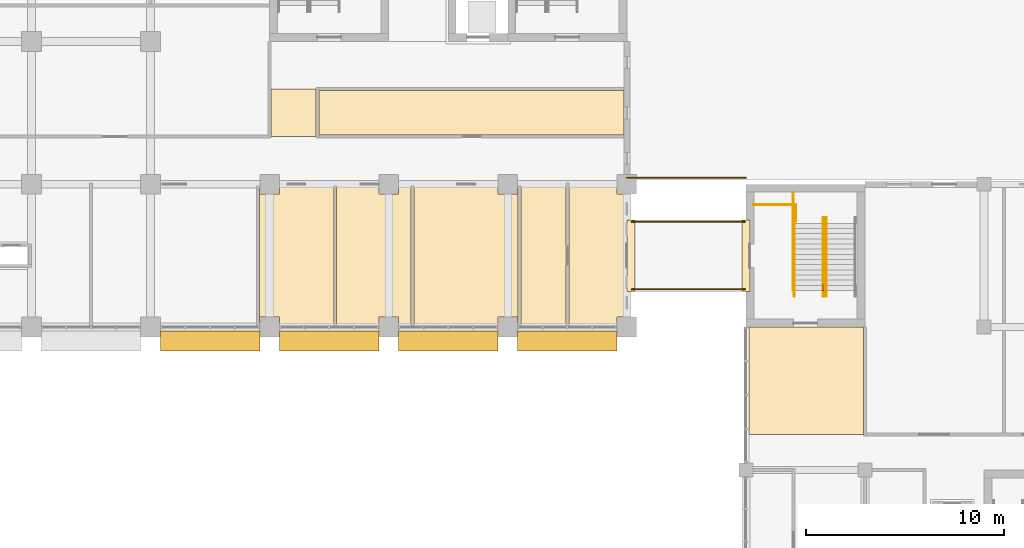
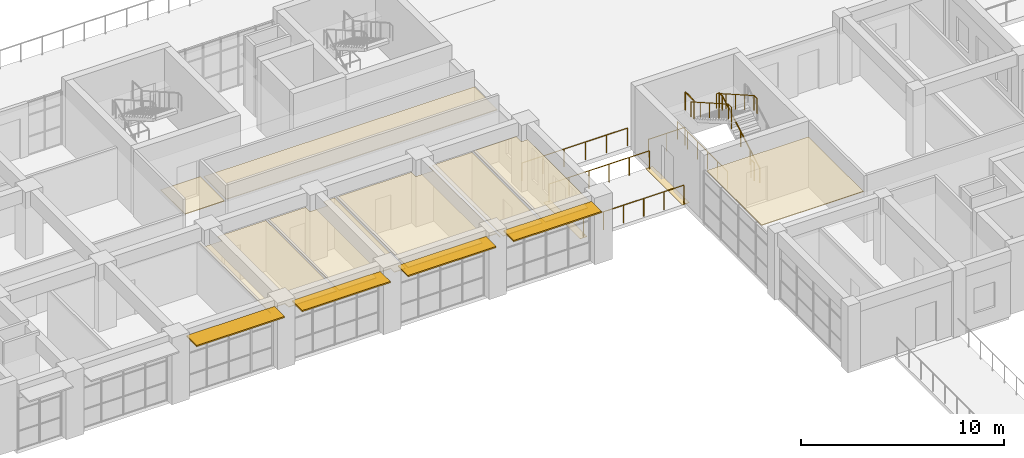
# One storey, part 97 of 101: 10 coverings, 10 railings, 4 shading devices.
"""IFC4 building model written with IfcOpenShell, lengths in metres."""

import ifcopenshell
import ifcopenshell.guid

model = None  # the IFC model being written
_history = None  # IfcOwnerHistory: only IFC2X3 demands one
_inside = {}  # id of a spatial element -> (the spatial element, [elements in it])
_under = {}  # id of a project, library or spatial element -> (it, [spatial elements below it])
_declared = {}  # id of a project -> (the project, [libraries it declares])
_typed = {}  # id of a type object -> (the type object, [elements of that type])
_made_of = {}  # id of a material, layer set ... -> (it, [elements and type objects made of it])


def new_model(schema):
    """Start an empty IFC model of exactly this schema.

    Asked for "IFC4X3", IfcOpenShell would pick the latest addendum, in which some entities
    have other attributes; the version numbers below select the first issue.
    IFC2X3 requires an IfcOwnerHistory on every rooted entity: one is made here for all.
    """
    global model, _history
    if schema == "IFC4X3":
        model = ifcopenshell.file(schema_version=(4, 3, 0, 0))
    else:
        model = ifcopenshell.file(schema=schema)
    _inside.clear()
    _under.clear()
    _declared.clear()
    _typed.clear()
    _made_of.clear()
    _history = None
    if model.schema == "IFC2X3":
        org = make("IfcOrganization", Name="unknown")
        user = make(
            "IfcPersonAndOrganization",
            ThePerson=make("IfcPerson", FamilyName="unknown"),
            TheOrganization=org,
        )
        app = make(
            "IfcApplication",
            ApplicationDeveloper=org,
            Version="unknown",
            ApplicationFullName="unknown",
            ApplicationIdentifier="unknown",
        )
        _history = make(
            "IfcOwnerHistory",
            OwningUser=user,
            OwningApplication=app,
            ChangeAction="ADDED",
            CreationDate=0,
        )
    return model


def make(cls, **values):
    """One entity of the class cls with the attributes given. An attribute that is None is left unset."""
    return model.create_entity(
        cls, **{name: value for name, value in values.items() if value is not None}
    )


def rooted(cls, **values):
    """An entity with a GlobalId (a new one), such as an element, a storey or a relation."""
    return make(cls, GlobalId=ifcopenshell.guid.new(), OwnerHistory=_history, **values)


def si_unit(unit_type, name, prefix=None):
    """IfcSIUnit, for example si_unit("LENGTHUNIT", "METRE", prefix="MILLI")."""
    return make("IfcSIUnit", UnitType=unit_type, Prefix=prefix, Name=name)


def assignment(units):
    """IfcUnitAssignment: the units of a project."""
    return None if units is None else make("IfcUnitAssignment", Units=units)


def point(xyz):
    """IfcCartesianPoint."""
    return None if xyz is None else make("IfcCartesianPoint", Coordinates=xyz)


def direction(xyz):
    """IfcDirection."""
    return None if xyz is None else make("IfcDirection", DirectionRatios=xyz)


def frame(location, z_axis=None, x_axis=None):
    """IfcAxis2Placement3D, a coordinate frame: its origin and axes. An axis left out is left unset."""
    return make(
        "IfcAxis2Placement3D",
        Location=point(location),
        Axis=direction(z_axis),
        RefDirection=direction(x_axis),
    )


def frame_2d(location, x_axis=None):
    """IfcAxis2Placement2D, a coordinate frame in the plane: its origin and x axis."""
    return make(
        "IfcAxis2Placement2D", Location=point(location), RefDirection=direction(x_axis)
    )


def origin():
    """The frame at (0, 0, 0) with its axes left unset."""
    return frame((0.0, 0.0, 0.0))


def origin_2d():
    """The frame at (0, 0) in the plane with its x axis left unset."""
    return frame_2d((0.0, 0.0))


def place(relative_to, where):
    """IfcLocalPlacement: puts the frame where relative to a parent placement (None: the world)."""
    return make(
        "IfcLocalPlacement", PlacementRelTo=relative_to, RelativePlacement=where
    )


def context(
    kind, dimensions, precision=None, world=None, true_north=None, identifier=None
):
    """IfcGeometricRepresentationContext, for example the 3D "Model" context."""
    return make(
        "IfcGeometricRepresentationContext",
        ContextIdentifier=identifier,
        ContextType=kind,
        CoordinateSpaceDimension=dimensions,
        Precision=precision,
        WorldCoordinateSystem=world,
        TrueNorth=true_north,
    )


def subcontext(parent, identifier, kind, view, scale=None):
    """IfcGeometricRepresentationSubContext, for example "Body" below "Model"."""
    return make(
        "IfcGeometricRepresentationSubContext",
        ContextIdentifier=identifier,
        ContextType=kind,
        ParentContext=parent,
        TargetScale=scale,
        TargetView=view,
    )


def project(units=None, contexts=None):
    """IfcProject with its units and contexts."""
    return rooted(
        "IfcProject",
        Name="project",
        RepresentationContexts=contexts,
        UnitsInContext=assignment(units),
    )


def spatial(cls, under=None, at=None, **own):
    """A site, building, storey or space (cls), placed at a placement, below another one or the project."""
    s = rooted(cls, ObjectPlacement=at, **own)
    if under is not None:
        _under.setdefault(under.id(), (under, []))[1].append(s)
    return s


def polyline(points):
    """IfcPolyline through the points."""
    return make("IfcPolyline", Points=[point(p) for p in points])


def profile(cls, at=None, kind="AREA", **sizes):
    """A parametric profile (cls). Its sizes go by their IFC names, for example OverallWidth=200.0."""
    return make(cls, ProfileType=kind, Position=at, **sizes)


def rectangle(**sizes):
    """IfcRectangleProfileDef."""
    return profile("IfcRectangleProfileDef", **sizes)


def circle(**sizes):
    """IfcCircleProfileDef."""
    return profile("IfcCircleProfileDef", **sizes)


def outline(outer, holes=None, kind="AREA"):
    """IfcArbitraryClosedProfileDef: a profile drawn as a closed curve; with holes, ...WithVoids."""
    if holes is None:
        return make("IfcArbitraryClosedProfileDef", ProfileType=kind, OuterCurve=outer)
    return make(
        "IfcArbitraryProfileDefWithVoids",
        ProfileType=kind,
        OuterCurve=outer,
        InnerCurves=holes,
    )


def extrude(swept, where, along, depth):
    """IfcExtrudedAreaSolid: the profile swept, set in the frame where, extruded along a direction by depth."""
    return make(
        "IfcExtrudedAreaSolid",
        SweptArea=swept,
        Position=where,
        ExtrudedDirection=direction(along),
        Depth=depth,
    )


def shape(context_of_items, identifier, shape_type, items):
    """IfcShapeRepresentation: the items that make up one representation, for example the "Body"."""
    return make(
        "IfcShapeRepresentation",
        ContextOfItems=context_of_items,
        RepresentationIdentifier=identifier,
        RepresentationType=shape_type,
        Items=items,
    )


def material(Name=None, Category=None):
    """IfcMaterial."""
    return make("IfcMaterial", Name=Name, Category=Category)


def layer(
    of_material, thickness, ventilated=None, Name=None, Category=None, Priority=None
):
    """IfcMaterialLayer: one layer of a wall or slab, of a material (None: an air gap)."""
    return make(
        "IfcMaterialLayer",
        Material=of_material,
        LayerThickness=thickness,
        IsVentilated=ventilated,
        Name=Name,
        Category=Category,
        Priority=Priority,
    )


def layer_set(layers, Name=None):
    """IfcMaterialLayerSet."""
    return make("IfcMaterialLayerSet", MaterialLayers=layers, LayerSetName=Name)


def made_of(thing, what):
    """Note that an element or type object is made of a material, layer set ...; save() writes the relation."""
    if what is not None:
        _made_of.setdefault(what.id(), (what, []))[1].append(thing)
    return thing


def type_object(cls, material=None, **own):
    """A type object (cls), such as IfcWallType, which elements share."""
    return made_of(rooted(cls, **own), material)


def element(
    cls,
    number,
    at=None,
    inside=None,
    cuts=None,
    type_object=None,
    material=None,
    context=None,
    identifier="Body",
    shape_type=None,
    held_by="IfcProductDefinitionShape",
    body=None,
    shapes=None,
    **own,
):
    """One element of the class cls, such as IfcWall. Its Tag is "e" and its number.

    at: its placement. inside: the storey or other place that contains it. cuts: it is an
    opening in that element (IfcRelVoidsElement). A single representation is given by context,
    identifier, shape_type and body (its items); several are given by shapes. held_by: the class
    of the entity that holds the representations. save() writes the other relations.
    """
    e = rooted(cls, Tag="e%d" % number, ObjectPlacement=at, **own)
    if body is not None:
        shapes = [shape(context, identifier, shape_type, body)]
    if shapes is not None:
        e.Representation = make(held_by, Representations=shapes)
    if inside is not None:
        _inside.setdefault(inside.id(), (inside, []))[1].append(e)
    if cuts is not None:
        rooted(
            "IfcRelVoidsElement", RelatingBuildingElement=cuts, RelatedOpeningElement=e
        )
    if type_object is not None:
        _typed.setdefault(type_object.id(), (type_object, []))[1].append(e)
    return made_of(e, material)


def aggregate(whole, parts):
    """IfcRelAggregates: a whole, such as a stair, and the parts it consists of."""
    return rooted("IfcRelAggregates", RelatingObject=whole, RelatedObjects=parts)


def save(model, path):
    """Write the relations noted so far, then the file.

    IfcRelAggregates (storeys below a building ...), IfcRelContainedInSpatialStructure (elements
    in a storey), IfcRelDefinesByType, IfcRelAssociatesMaterial and IfcRelDeclares: one each for
    every whole, place, type object, material and project.
    """
    for whole, parts in _under.values():
        aggregate(whole, parts)
    for where, things in _inside.values():
        rooted(
            "IfcRelContainedInSpatialStructure",
            RelatedElements=things,
            RelatingStructure=where,
        )
    for kind, things in _typed.values():
        rooted("IfcRelDefinesByType", RelatedObjects=things, RelatingType=kind)
    for what, things in _made_of.values():
        rooted("IfcRelAssociatesMaterial", RelatedObjects=things, RelatingMaterial=what)
    for by, libraries in _declared.values():
        rooted("IfcRelDeclares", RelatingContext=by, RelatedDefinitions=libraries)
    model.write(path)


model = new_model("IFC4")

# Units and contexts
model_context = context("Model", 3, precision=1e-05, world=origin(), true_north=direction((0.0, 1.0)))
body_context = subcontext(model_context, "Body", "Model", "MODEL_VIEW")
ifc_project = project(units=[si_unit("LENGTHUNIT", "METRE"), si_unit("AREAUNIT", "SQUARE_METRE"), si_unit("VOLUMEUNIT", "CUBIC_METRE"), si_unit("PLANEANGLEUNIT", "RADIAN"), si_unit("MASSUNIT", "GRAM", prefix="KILO")], contexts=[model_context])

# Site, building, storey
site_placement = place(None, origin())
site = spatial("IfcSite", under=ifc_project, at=site_placement, CompositionType="ELEMENT")
building_placement = place(site_placement, origin())
building = spatial("IfcBuilding", under=site, at=building_placement, Name="Laocheng Heights Fire and Rescue Headquarters", CompositionType="ELEMENT")
storey_placement = place(building_placement, frame((0.0, 0.0, 8.39990234375)))
storey = spatial("IfcBuildingStorey", under=building, at=storey_placement, Name="L02", CompositionType="ELEMENT", Elevation=8.39990234375)

# Coverings
ifc_material_1 = material(Name="Stainless steel cover plate", Category="steel")
ifc_layer_1 = layer(ifc_material_1, 0.010009765625)
ifc_layer_set_1 = layer_set([ifc_layer_1], Name="Stainless steel cover plate")
covering_type_1 = type_object("IfcCoveringType", Name="MOVEMENT JOINT COVER PLATE 10", PredefinedType="FLOORING", material=ifc_layer_set_1)
for number, where, z_axis, x_axis, name in (
    (1, (84.199951171875, 54.0, -0.009765625), (0.0, 0.0, 1.0), (1.0, 0.0, 0.0), "Bridge B3 movement joint cover plate"),
    (2, (90.0, 54.0, -0.009765625), (0.0, 0.0, 1.0), (1.0, 0.0, 0.0), "Bridge B3 movement joint cover plate"),
):
    element("IfcCovering", number, at=place(storey_placement, frame(where, z_axis=z_axis, x_axis=x_axis)), inside=storey, type_object=covering_type_1, Name=name, PredefinedType="FLOORING", context=body_context, shape_type="SweptSolid", body=[
        extrude(rectangle(XDim=0.39990234375, YDim=3.60009765625, at=origin_2d()), origin(), (0.0, 0.0, 1.0), 0.010009765625),
    ])

# Shading devices
ifc_material_2 = material(Name="Precast concrete C40/50, light warm grey", Category="concrete")
ifc_layer_2 = layer(ifc_material_2, 0.080078125)
ifc_layer_set_2 = layer_set([ifc_layer_2], Name="Precast concrete C40/50, light warm grey")
shading_device_type = type_object("IfcShadingDeviceType", Name="PRECAST BLADE 1000 x 80 BLADE HQ SOUTH", PredefinedType="JALOUSIE", material=ifc_layer_set_2)
for number, where, z_axis, x_axis, name in (
    (3, (63.0, 49.699951171875, 3.56005859375), (0.0, 0.0, 1.0), (1.0, 0.0, 0.0), "BLADE HQ SOUTH L02"),
    (4, (69.0, 49.699951171875, 3.56005859375), (0.0, 0.0, 1.0), (1.0, 0.0, 0.0), "BLADE HQ SOUTH L02"),
    (5, (75.0, 49.699951171875, 3.56005859375), (0.0, 0.0, 1.0), (1.0, 0.0, 0.0), "BLADE HQ SOUTH L02"),
    (6, (81.0, 49.699951171875, 3.56005859375), (0.0, 0.0, 1.0), (1.0, 0.0, 0.0), "BLADE HQ SOUTH L02"),
):
    element("IfcShadingDevice", number, at=place(storey_placement, frame(where, z_axis=z_axis, x_axis=x_axis)), inside=storey, type_object=shading_device_type, Name=name, PredefinedType="JALOUSIE", context=body_context, shape_type="SweptSolid", body=[
        extrude(rectangle(XDim=5.0, YDim=1.0, at=origin_2d()), origin(), (0.0, 0.0, 1.0), 0.080078125),
    ])

# Railings
ifc_material_3 = material(Name="Steel Q355B", Category="steel")
railing_type_1 = type_object("IfcRailingType", Name="STAIR GUARD 1100", PredefinedType="GUARDRAIL", material=ifc_material_3)
railing_1_placement = place(storey_placement, frame((93.905029296875, 52.550048828125, 0.0)))
element("IfcRailing", 7, at=railing_1_placement, inside=storey, type_object=railing_type_1, Name="Stair C2 guard L02 well edge", PredefinedType="GUARDRAIL", context=body_context, shape_type="SweptSolid", body=[
    extrude(circle(Radius=0.02392578125, at=origin_2d()), frame((0.0, 0.0, 1.076171875), z_axis=(0.0, -1.0, 0.0), x_axis=(1.0, 0.0, 0.0)), (0.0, 0.0, 1.0), 0.300048828125),
    extrude(circle(Radius=0.02099609375, at=origin_2d()), origin(), (0.0, 0.0, 1.0), 1.052001953125),
    extrude(circle(Radius=0.02099609375, at=origin_2d()), frame((0.0, -0.300048828125, 0.0)), (0.0, 0.0, 1.0), 1.052001953125),
])
railing_2_placement = place(storey_placement, frame((92.47509765625, 56.570068359375, 0.0)))
element("IfcRailing", 8, at=railing_2_placement, inside=storey, type_object=railing_type_1, Name="Stair C2 guard L02 tongue edge", PredefinedType="GUARDRAIL", context=body_context, shape_type="SweptSolid", body=[
    extrude(circle(Radius=0.02392578125, at=origin_2d()), frame((0.0, 0.0, 1.076171875), z_axis=(-1.0, 0.0, 0.0), x_axis=(0.0, -1.0, 0.0)), (0.0, 0.0, 1.0), 2.0751953125),
    extrude(circle(Radius=0.02099609375, at=origin_2d()), origin(), (0.0, 0.0, 1.0), 1.052001953125),
    extrude(circle(Radius=0.02099609375, at=origin_2d()), frame((-1.03759765625, 0.0, 0.0)), (0.0, 0.0, 1.0), 1.052001953125),
    extrude(circle(Radius=0.02099609375, at=origin_2d()), frame((-2.0751953125, 0.0, 0.0)), (0.0, 0.0, 1.0), 1.052001953125),
])
railing_3_placement = place(storey_placement, frame((92.39501953125, 57.179931640625, 0.0)))
element("IfcRailing", 9, at=railing_3_placement, inside=storey, type_object=railing_type_1, Name="Stair C2 guard L02 strip edge", PredefinedType="GUARDRAIL", context=body_context, shape_type="SweptSolid", body=[
    extrude(circle(Radius=0.02392578125, at=origin_2d()), frame((0.0, 0.0, 1.076171875), z_axis=(0.0, -1.0, 0.0), x_axis=(1.0, 0.0, 0.0)), (0.0, 0.0, 1.0), 4.929931640625),
    extrude(circle(Radius=0.02099609375, at=origin_2d()), origin(), (0.0, 0.0, 1.0), 1.052001953125),
    extrude(circle(Radius=0.02099609375, at=origin_2d()), frame((0.0, -0.986083984375, 0.0)), (0.0, 0.0, 1.0), 1.052001953125),
    extrude(circle(Radius=0.02099609375, at=origin_2d()), frame((0.0, -1.971923828125, 0.0)), (0.0, 0.0, 1.0), 1.052001953125),
    extrude(circle(Radius=0.02099609375, at=origin_2d()), frame((0.0, -2.9580078125, 0.0)), (0.0, 0.0, 1.0), 1.052001953125),
    extrude(circle(Radius=0.02099609375, at=origin_2d()), frame((0.0, -3.94384765625, 0.0)), (0.0, 0.0, 1.0), 1.052001953125),
    extrude(circle(Radius=0.02099609375, at=origin_2d()), frame((0.0, -4.929931640625, 0.0)), (0.0, 0.0, 1.0), 1.052001953125),
])
railing_4_placement = place(storey_placement, frame((92.5048828125, 56.580078125, 2.10009765625)))
element("IfcRailing", 10, at=railing_4_placement, inside=storey, type_object=railing_type_1, Name="Stair C2 guard L02 half landing", PredefinedType="GUARDRAIL", context=body_context, shape_type="SweptSolid", body=[
    extrude(circle(Radius=0.02392578125, at=origin_2d()), frame((0.0, 0.0, 1.076171875), z_axis=(0.0, -1.0, 0.0), x_axis=(1.0, 0.0, 0.0)), (0.0, 0.0, 1.0), 0.85009765625),
    extrude(circle(Radius=0.02099609375, at=origin_2d()), origin(), (0.0, 0.0, 1.0), 1.052001953125),
    extrude(circle(Radius=0.02099609375, at=origin_2d()), frame((0.0, -0.85009765625, 0.0)), (0.0, 0.0, 1.0), 1.052001953125),
])
ifc_material_4 = material(Name="Steel Q355B", Category="steel")
railing_type_2 = type_object("IfcRailingType", Name="STAIR HANDRAIL 920", PredefinedType="HANDRAIL", material=ifc_material_4)
railing_5_placement = place(storey_placement, frame((94.044921875, 51.949951171875, 0.0)))
element("IfcRailing", 11, at=railing_5_placement, inside=storey, type_object=railing_type_2, Name="Stair C2 handrail L02 2", PredefinedType="HANDRAIL", context=body_context, shape_type="SweptSolid", body=[
    extrude(circle(Radius=0.02392578125, at=origin_2d()), frame((0.0, 0.0, 0.89599609375), z_axis=(0.0, 0.868519587458, 0.495654845838), x_axis=(-1.0, 0.0, 0.0)), (0.0, 0.0, 1.0), 4.237060546875),
    extrude(circle(Radius=0.02392578125, at=origin_2d()), frame((0.0, 3.679931640625, 2.99609375), z_axis=(0.0, 1.0, 0.0), x_axis=(-1.0, 0.0, 0.0)), (0.0, 0.0, 1.0), 0.300048828125),
    extrude(circle(Radius=0.02099609375, at=origin_2d()), origin(), (0.0, 0.0, 1.0), 0.871826171875),
    extrude(circle(Radius=0.02099609375, at=origin_2d()), frame((0.0, 0.919921875, 0.52490234375)), (0.0, 0.0, 1.0), 0.871826171875),
    extrude(circle(Radius=0.02099609375, at=origin_2d()), frame((0.0, 1.83984375, 1.050048828125)), (0.0, 0.0, 1.0), 0.871826171875),
    extrude(circle(Radius=0.02099609375, at=origin_2d()), frame((0.0, 2.760009765625, 1.5751953125)), (0.0, 0.0, 1.0), 0.871826171875),
    extrude(circle(Radius=0.02099609375, at=origin_2d()), frame((0.0, 3.679931640625, 2.10009765625)), (0.0, 0.0, 1.0), 0.871826171875),
    extrude(circle(Radius=0.02099609375, at=origin_2d()), frame((0.0, 3.97998046875, 2.10009765625)), (0.0, 0.0, 1.0), 0.871826171875),
])
for number, where, name in (
    (12, (93.905029296875, 55.929931640625, 2.10009765625), "Stair C2 handrail L02 3"),
    (13, (92.445068359375, 55.929931640625, 2.10009765625), "Stair C2 handrail L02 4"),
):
    element("IfcRailing", number, at=place(storey_placement, frame(where)), inside=storey, type_object=railing_type_2, Name=name, PredefinedType="HANDRAIL", context=body_context, shape_type="SweptSolid", body=[
        extrude(circle(Radius=0.02392578125, at=origin_2d()), frame((0.0, 0.0, 0.89599609375), z_axis=(0.0, -0.868519587458, 0.495654845838), x_axis=(1.0, 0.0, 0.0)), (0.0, 0.0, 1.0), 4.237060546875),
        extrude(circle(Radius=0.02392578125, at=origin_2d()), frame((0.0, -3.679931640625, 2.99609375), z_axis=(0.0, -1.0, 0.0), x_axis=(1.0, 0.0, 0.0)), (0.0, 0.0, 1.0), 0.300048828125),
        extrude(circle(Radius=0.02099609375, at=origin_2d()), origin(), (0.0, 0.0, 1.0), 0.871826171875),
        extrude(circle(Radius=0.02099609375, at=origin_2d()), frame((0.0, -0.919921875, 0.52490234375)), (0.0, 0.0, 1.0), 0.871826171875),
        extrude(circle(Radius=0.02099609375, at=origin_2d()), frame((0.0, -1.83984375, 1.050048828125)), (0.0, 0.0, 1.0), 0.871826171875),
        extrude(circle(Radius=0.02099609375, at=origin_2d()), frame((0.0, -2.760009765625, 1.5751953125)), (0.0, 0.0, 1.0), 0.871826171875),
        extrude(circle(Radius=0.02099609375, at=origin_2d()), frame((0.0, -3.679931640625, 2.10009765625)), (0.0, 0.0, 1.0), 0.871826171875),
        extrude(circle(Radius=0.02099609375, at=origin_2d()), frame((0.0, -3.97998046875, 2.10009765625)), (0.0, 0.0, 1.0), 0.871826171875),
    ])
ifc_material_5 = material(Name="Steel Q355B", Category="steel")
railing_type_3 = type_object("IfcRailingType", Name="STEEL GUARDRAIL 1100 BRIDGE", PredefinedType="GUARDRAIL", material=ifc_material_5)
railing_6_placement = place(storey_placement, frame((89.949951171875, 55.699951171875, 0.0)))
element("IfcRailing", 14, at=railing_6_placement, inside=storey, type_object=railing_type_3, Name="Bridge B3 guard", PredefinedType="GUARDRAIL", context=body_context, shape_type="SweptSolid", body=[
    extrude(circle(Radius=0.02490234375, at=origin_2d()), frame((0.0, 0.0, 1.0751953125), z_axis=(-1.0, 0.0, 0.0), x_axis=(0.0, -1.0, 0.0)), (0.0, 0.0, 1.0), 5.699951171875),
    extrude(circle(Radius=0.02490234375, at=origin_2d()), origin(), (0.0, 0.0, 1.0), 1.050048828125),
    extrude(circle(Radius=0.02490234375, at=origin_2d()), frame((-1.139892578125, 0.0, 0.0)), (0.0, 0.0, 1.0), 1.050048828125),
    extrude(circle(Radius=0.02490234375, at=origin_2d()), frame((-2.280029296875, 0.0, 0.0)), (0.0, 0.0, 1.0), 1.050048828125),
    extrude(circle(Radius=0.02490234375, at=origin_2d()), frame((-3.419921875, 0.0, 0.0)), (0.0, 0.0, 1.0), 1.050048828125),
    extrude(circle(Radius=0.02490234375, at=origin_2d()), frame((-4.56005859375, 0.0, 0.0)), (0.0, 0.0, 1.0), 1.050048828125),
    extrude(circle(Radius=0.02490234375, at=origin_2d()), frame((-5.699951171875, 0.0, 0.0)), (0.0, 0.0, 1.0), 1.050048828125),
])
railing_7_placement = place(storey_placement, frame((84.25, 52.300048828125, 0.0)))
element("IfcRailing", 15, at=railing_7_placement, inside=storey, type_object=railing_type_3, Name="Bridge B3 guard", PredefinedType="GUARDRAIL", context=body_context, shape_type="SweptSolid", body=[
    extrude(circle(Radius=0.02490234375, at=origin_2d()), frame((0.0, 0.0, 1.0751953125), z_axis=(1.0, 0.0, 0.0), x_axis=(0.0, 1.0, 0.0)), (0.0, 0.0, 1.0), 5.699951171875),
    extrude(circle(Radius=0.02490234375, at=origin_2d()), origin(), (0.0, 0.0, 1.0), 1.050048828125),
    extrude(circle(Radius=0.02490234375, at=origin_2d()), frame((1.139892578125, 0.0, 0.0)), (0.0, 0.0, 1.0), 1.050048828125),
    extrude(circle(Radius=0.02490234375, at=origin_2d()), frame((2.280029296875, 0.0, 0.0)), (0.0, 0.0, 1.0), 1.050048828125),
    extrude(circle(Radius=0.02490234375, at=origin_2d()), frame((3.419921875, 0.0, 0.0)), (0.0, 0.0, 1.0), 1.050048828125),
    extrude(circle(Radius=0.02490234375, at=origin_2d()), frame((4.56005859375, 0.0, 0.0)), (0.0, 0.0, 1.0), 1.050048828125),
    extrude(circle(Radius=0.02490234375, at=origin_2d()), frame((5.699951171875, 0.0, 0.0)), (0.0, 0.0, 1.0), 1.050048828125),
])
ifc_material_6 = material(Name="Steel Q355B", Category="steel")
railing_type_4 = type_object("IfcRailingType", Name="STEEL GUARDRAIL 1100 TERRACE EDGE", PredefinedType="GUARDRAIL", material=ifc_material_6)
railing_8_placement = place(storey_placement, frame((84.0, 57.925048828125, 0.0)))
element("IfcRailing", 16, at=railing_8_placement, inside=storey, type_object=railing_type_4, Name="Guard on top of RW2 84 to 90", PredefinedType="GUARDRAIL", context=body_context, shape_type="SweptSolid", body=[
    extrude(circle(Radius=0.02490234375, at=origin_2d()), frame((0.0, 0.0, 1.0751953125), z_axis=(1.0, 0.0, 0.0), x_axis=(0.0, 1.0, 0.0)), (0.0, 0.0, 1.0), 6.0),
    extrude(circle(Radius=0.02490234375, at=origin_2d()), origin(), (0.0, 0.0, 1.0), 1.050048828125),
    extrude(circle(Radius=0.02490234375, at=origin_2d()), frame((1.199951171875, 0.0, 0.0)), (0.0, 0.0, 1.0), 1.050048828125),
    extrude(circle(Radius=0.02490234375, at=origin_2d()), frame((2.39990234375, 0.0, 0.0)), (0.0, 0.0, 1.0), 1.050048828125),
    extrude(circle(Radius=0.02490234375, at=origin_2d()), frame((3.60009765625, 0.0, 0.0)), (0.0, 0.0, 1.0), 1.050048828125),
    extrude(circle(Radius=0.02490234375, at=origin_2d()), frame((4.800048828125, 0.0, 0.0)), (0.0, 0.0, 1.0), 1.050048828125),
    extrude(circle(Radius=0.02490234375, at=origin_2d()), frame((6.0, 0.0, 0.0)), (0.0, 0.0, 1.0), 1.050048828125),
])

# Coverings
ifc_material_7 = material(Name="Mineral fibre ceiling tile")
ifc_layer_3 = layer(ifc_material_7, 0.0400390625)
ifc_layer_set_3 = layer_set([ifc_layer_3], Name="Mineral fibre ceiling tile")
covering_type_2 = type_object("IfcCoveringType", Name="SUSPENDED CEILING MINERAL FIBRE TILE CREW WING", PredefinedType="CEILING", material=ifc_layer_set_3)
covering_1_placement = place(storey_placement, frame((0.0, 0.0, 3.0)))
element("IfcCovering", 17, at=covering_1_placement, inside=storey, type_object=covering_type_2, Name="Stair Lobby ceiling", PredefinedType="CEILING", context=body_context, shape_type="SweptSolid", body=[
    extrude(outline(polyline([(95.925048828125, 45.0), (90.14990234375, 45.0), (90.14990234375, 50.39990234375), (95.925048828125, 50.39990234375), (95.925048828125, 45.0)])), origin(), (0.0, 0.0, 1.0), 0.0400390625),
])
ifc_material_8 = material(Name="Mineral fibre ceiling tile")
ifc_layer_4 = layer(ifc_material_8, 0.0400390625)
ifc_layer_set_4 = layer_set([ifc_layer_4], Name="Mineral fibre ceiling tile")
covering_type_3 = type_object("IfcCoveringType", Name="SUSPENDED CEILING MINERAL FIBRE TILE HQ WING", PredefinedType="CEILING", material=ifc_layer_set_4)
covering_2_placement = place(storey_placement, frame((0.0, 0.0, 3.0)))
element("IfcCovering", 18, at=covering_2_placement, inside=storey, type_object=covering_type_3, Name="Circulation East ceiling", PredefinedType="CEILING", context=body_context, shape_type="SweptSolid", body=[
    extrude(outline(polyline([(68.324951171875, 60.0), (66.074951171875, 60.0), (66.074951171875, 62.39990234375), (68.324951171875, 62.39990234375), (68.324951171875, 60.0)])), origin(), (0.0, 0.0, 1.0), 0.0400390625),
])
covering_3_placement = place(storey_placement, frame((0.0, 0.0, 3.0)))
element("IfcCovering", 19, at=covering_3_placement, inside=storey, type_object=covering_type_3, Name="Chief Fire Officers' Office ceiling", PredefinedType="CEILING", context=body_context, shape_type="SweptSolid", body=[
    extrude(outline(polyline([(68.47509765625, 60.074951171875), (68.47509765625, 62.324951171875), (83.85009765625, 62.324951171875), (83.85009765625, 60.074951171875), (68.47509765625, 60.074951171875)])), origin(), (0.0, 0.0, 1.0), 0.0400390625),
])
covering_4_placement = place(storey_placement, frame((0.0, 0.0, 3.0)))
element("IfcCovering", 20, at=covering_4_placement, inside=storey, type_object=covering_type_3, Name="Meeting Room 1 ceiling", PredefinedType="CEILING", context=body_context, shape_type="SweptSolid", body=[
    extrude(outline(polyline([(65.5, 57.52490234375), (65.5, 57.10009765625), (66.5, 57.10009765625), (66.5, 57.52490234375), (69.239990234375, 57.52490234375), (69.239990234375, 50.550048828125), (66.5, 50.550048828125), (66.5, 50.89990234375), (65.5, 50.89990234375), (65.5, 50.550048828125), (65.47509765625, 50.550048828125), (65.47509765625, 57.52490234375), (65.5, 57.52490234375)])), origin(), (0.0, 0.0, 1.0), 0.0400390625),
])
covering_5_placement = place(storey_placement, frame((0.0, 0.0, 3.0)))
element("IfcCovering", 21, at=covering_5_placement, inside=storey, type_object=covering_type_3, Name="Meeting Room 2 ceiling", PredefinedType="CEILING", context=body_context, shape_type="SweptSolid", body=[
    extrude(outline(polyline([(71.5, 57.52490234375), (71.5, 57.10009765625), (72.5, 57.10009765625), (72.5, 57.52490234375), (73.125, 57.52490234375), (73.125, 50.550048828125), (72.5, 50.550048828125), (72.5, 50.89990234375), (71.5, 50.89990234375), (71.5, 50.550048828125), (69.360107421875, 50.550048828125), (69.360107421875, 57.52490234375), (71.5, 57.52490234375)])), origin(), (0.0, 0.0, 1.0), 0.0400390625),
])
covering_6_placement = place(storey_placement, frame((0.0, 0.0, 3.0)))
element("IfcCovering", 22, at=covering_6_placement, inside=storey, type_object=covering_type_3, Name="Toilets ceiling", PredefinedType="CEILING", context=body_context, shape_type="SweptSolid", body=[
    extrude(outline(polyline([(77.5, 57.52490234375), (77.5, 57.10009765625), (78.5, 57.10009765625), (78.5, 57.52490234375), (78.52490234375, 57.52490234375), (78.52490234375, 50.550048828125), (78.5, 50.550048828125), (78.5, 50.89990234375), (77.5, 50.89990234375), (77.5, 50.550048828125), (73.27490234375, 50.550048828125), (73.27490234375, 57.52490234375), (77.5, 57.52490234375)])), origin(), (0.0, 0.0, 1.0), 0.0400390625),
])
covering_7_placement = place(storey_placement, frame((0.0, 0.0, 3.0)))
element("IfcCovering", 23, at=covering_7_placement, inside=storey, type_object=covering_type_3, Name="Deputy Chiefs' Office ceiling", PredefinedType="CEILING", context=body_context, shape_type="SweptSolid", body=[
    extrude(outline(polyline([(78.675048828125, 57.52490234375), (80.925048828125, 57.52490234375), (80.925048828125, 50.550048828125), (78.675048828125, 50.550048828125), (78.675048828125, 57.52490234375)])), origin(), (0.0, 0.0, 1.0), 0.0400390625),
])
covering_8_placement = place(storey_placement, frame((0.0, 0.0, 3.0)))
element("IfcCovering", 24, at=covering_8_placement, inside=storey, type_object=covering_type_3, Name="Bridge Arrival Circulation ceiling", PredefinedType="CEILING", context=body_context, shape_type="SweptSolid", body=[
    extrude(outline(polyline([(83.85009765625, 50.89990234375), (83.5, 50.89990234375), (83.5, 50.550048828125), (81.074951171875, 50.550048828125), (81.074951171875, 57.60009765625), (83.5, 57.60009765625), (83.5, 57.10009765625), (83.85009765625, 57.10009765625), (83.85009765625, 50.89990234375)])), origin(), (0.0, 0.0, 1.0), 0.0400390625),
])

save(model, "model.ifc")
